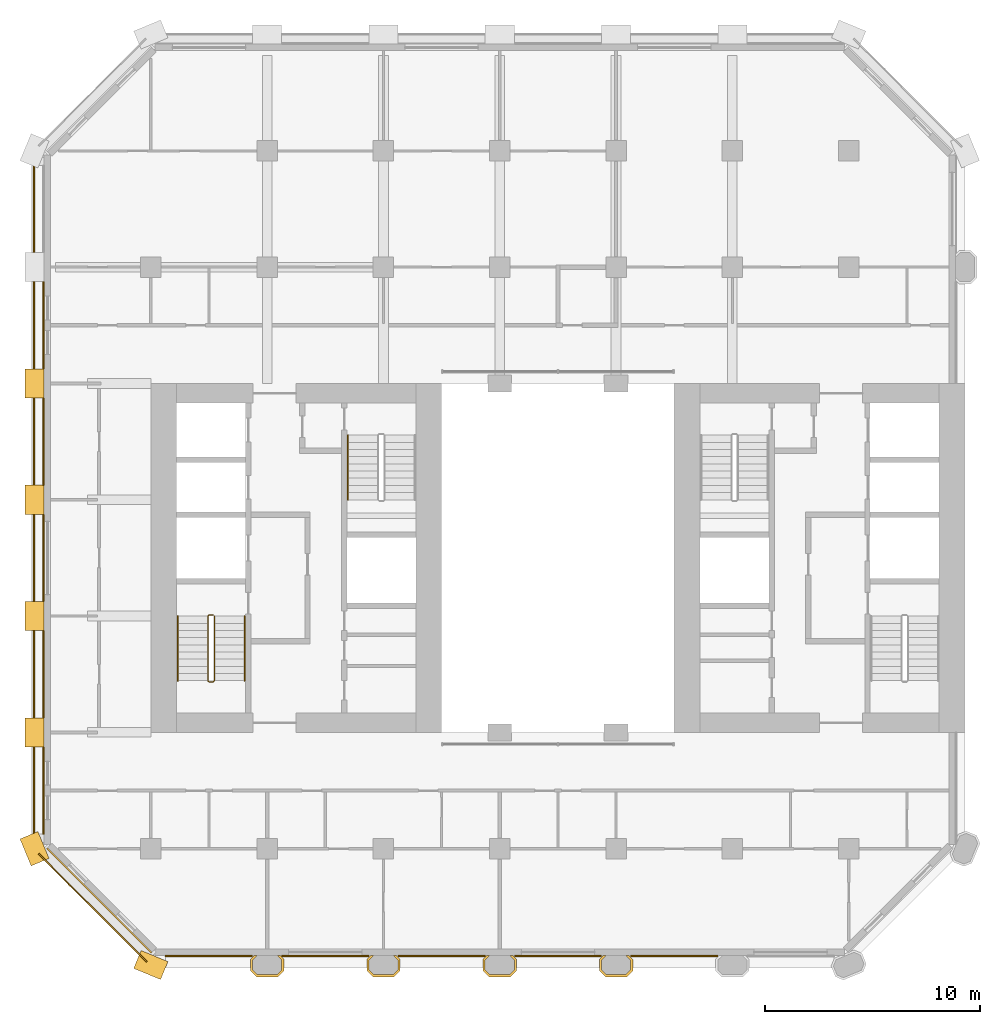
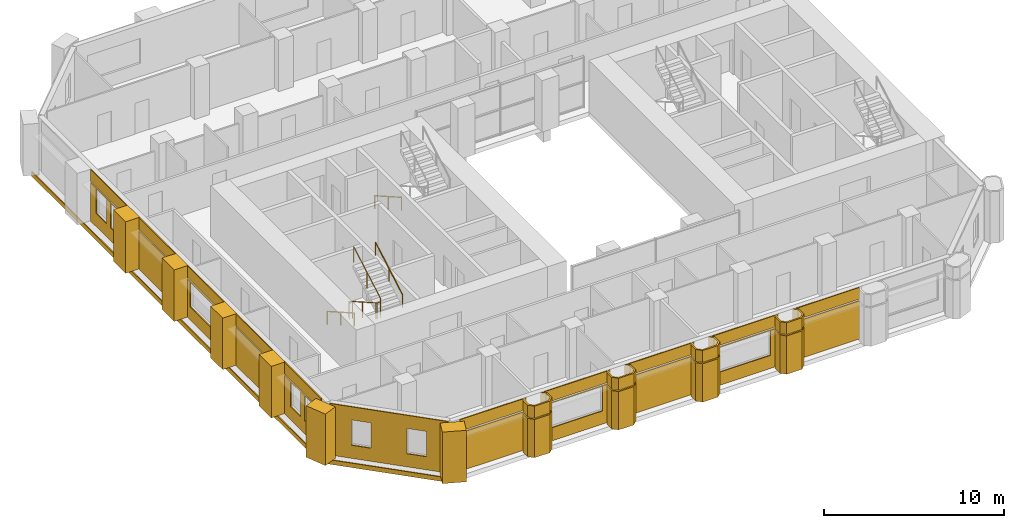
# One storey, part 11 of 13: 37 coverings, 4 railings.
"""IFC4 building model written with IfcOpenShell, lengths in metres."""

from ifc_helpers import new_model, si_unit, direction, frame, frame_2d, origin, origin_2d, place, context, subcontext, project, spatial, polyline, rectangle, circle, outline, extrude, material, layer, layer_set, type_object, element, save


model = new_model("IFC4")

# Units and contexts
model_context = context("Model", 3, precision=1e-05, world=origin(), true_north=direction((0.0, 1.0)))
body_context = subcontext(model_context, "Body", "Model", "MODEL_VIEW")
ifc_project = project(units=[si_unit("LENGTHUNIT", "METRE"), si_unit("AREAUNIT", "SQUARE_METRE"), si_unit("VOLUMEUNIT", "CUBIC_METRE"), si_unit("PLANEANGLEUNIT", "RADIAN"), si_unit("MASSUNIT", "GRAM", prefix="KILO")], contexts=[model_context])

# Site, building, storey
site_placement = place(None, origin())
site = spatial("IfcSite", under=ifc_project, at=site_placement, CompositionType="ELEMENT")
building_placement = place(site_placement, origin())
building = spatial("IfcBuilding", under=site, at=building_placement, Name="Tabaq Tower and Sports Hall", CompositionType="ELEMENT")
storey_placement = place(building_placement, frame((0.0, 0.0, 106.800048828125)))
storey = spatial("IfcBuildingStorey", under=building, at=storey_placement, Name="L25", CompositionType="ELEMENT", Elevation=106.800048828125)

# Coverings
ifc_material_1 = material(Name="Precast concrete C60/75", Category="concrete")
ifc_layer_1 = layer(ifc_material_1, 0.10009765625)
ifc_layer_set_1 = layer_set([ifc_layer_1], Name="Column cladding 100")
covering_type_1 = type_object("IfcCoveringType", Name="Column cladding 100", PredefinedType="CLADDING", material=ifc_layer_set_1)
covering_1_placement = place(storey_placement, origin())
element("IfcCovering", 1, at=covering_1_placement, inside=storey, type_object=covering_type_1, Name="Column cladding L25 PC-3B-O3", PredefinedType="CLADDING", context=body_context, shape_type="SweptSolid", body=[
    extrude(outline(polyline([(10.025390625, 5.666259765625), (10.208740234375, 5.849609375), (10.349365234375, 5.849609375), (10.124755859375, 5.625244140625), (10.124755859375, 5.1748046875), (10.349853515625, 4.94970703125), (11.250244140625, 4.94970703125), (11.475341796875, 5.1748046875), (11.475341796875, 5.625244140625), (11.250732421875, 5.849609375), (11.391357421875, 5.849609375), (11.57470703125, 5.666259765625), (11.57470703125, 5.1337890625), (11.291259765625, 4.850341796875), (10.30859375, 4.850341796875), (10.025390625, 5.1337890625), (10.025390625, 5.666259765625)])), origin(), (0.0, 0.0, 1.0), 2.599853515625),
])
covering_2_placement = place(storey_placement, frame((0.0, 0.0, 2.699951171875)))
element("IfcCovering", 2, at=covering_2_placement, inside=storey, type_object=covering_type_1, Name="Column cladding L25 PC-3B-O3 2", PredefinedType="CLADDING", context=body_context, shape_type="SweptSolid", body=[
    extrude(outline(polyline([(10.025390625, 5.666259765625), (10.208740234375, 5.849609375), (10.349365234375, 5.849609375), (10.124755859375, 5.625244140625), (10.124755859375, 5.1748046875), (10.349853515625, 4.94970703125), (11.250244140625, 4.94970703125), (11.475341796875, 5.1748046875), (11.475341796875, 5.625244140625), (11.250732421875, 5.849609375), (11.391357421875, 5.849609375), (11.57470703125, 5.666259765625), (11.57470703125, 5.1337890625), (11.291259765625, 4.850341796875), (10.30859375, 4.850341796875), (10.025390625, 5.1337890625), (10.025390625, 5.666259765625)])), origin(), (0.0, 0.0, 1.0), 0.800048828125),
])
covering_3_placement = place(storey_placement, origin())
element("IfcCovering", 3, at=covering_3_placement, inside=storey, type_object=covering_type_1, Name="Column cladding L25 PC-4B-O3", PredefinedType="CLADDING", context=body_context, shape_type="SweptSolid", body=[
    extrude(outline(polyline([(15.42529296875, 5.666259765625), (15.608642578125, 5.849609375), (15.749267578125, 5.849609375), (15.524658203125, 5.625244140625), (15.524658203125, 5.1748046875), (15.749755859375, 4.94970703125), (16.650146484375, 4.94970703125), (16.875244140625, 5.1748046875), (16.875244140625, 5.625244140625), (16.650634765625, 5.849609375), (16.791259765625, 5.849609375), (16.974609375, 5.666259765625), (16.974609375, 5.1337890625), (16.69140625, 4.850341796875), (15.708740234375, 4.850341796875), (15.42529296875, 5.1337890625), (15.42529296875, 5.666259765625)])), origin(), (0.0, 0.0, 1.0), 2.599853515625),
])
covering_4_placement = place(storey_placement, frame((0.0, 0.0, 2.699951171875)))
element("IfcCovering", 4, at=covering_4_placement, inside=storey, type_object=covering_type_1, Name="Column cladding L25 PC-4B-O3 2", PredefinedType="CLADDING", context=body_context, shape_type="SweptSolid", body=[
    extrude(outline(polyline([(15.42529296875, 5.666259765625), (15.608642578125, 5.849609375), (15.749267578125, 5.849609375), (15.524658203125, 5.625244140625), (15.524658203125, 5.1748046875), (15.749755859375, 4.94970703125), (16.650146484375, 4.94970703125), (16.875244140625, 5.1748046875), (16.875244140625, 5.625244140625), (16.650634765625, 5.849609375), (16.791259765625, 5.849609375), (16.974609375, 5.666259765625), (16.974609375, 5.1337890625), (16.69140625, 4.850341796875), (15.708740234375, 4.850341796875), (15.42529296875, 5.1337890625), (15.42529296875, 5.666259765625)])), origin(), (0.0, 0.0, 1.0), 0.800048828125),
])
covering_5_placement = place(storey_placement, origin())
element("IfcCovering", 5, at=covering_5_placement, inside=storey, type_object=covering_type_1, Name="Column cladding L25 PC-5B-O3", PredefinedType="CLADDING", context=body_context, shape_type="SweptSolid", body=[
    extrude(outline(polyline([(20.8251953125, 5.666259765625), (21.0087890625, 5.849609375), (21.149169921875, 5.849609375), (20.9248046875, 5.625244140625), (20.9248046875, 5.1748046875), (21.14990234375, 4.94970703125), (22.050048828125, 4.94970703125), (22.275390625, 5.1748046875), (22.275390625, 5.625244140625), (22.05078125, 5.849609375), (22.19140625, 5.849609375), (22.374755859375, 5.666259765625), (22.374755859375, 5.1337890625), (22.09130859375, 4.850341796875), (21.108642578125, 4.850341796875), (20.8251953125, 5.1337890625), (20.8251953125, 5.666259765625)])), origin(), (0.0, 0.0, 1.0), 2.599853515625),
])
covering_6_placement = place(storey_placement, frame((0.0, 0.0, 2.699951171875)))
element("IfcCovering", 6, at=covering_6_placement, inside=storey, type_object=covering_type_1, Name="Column cladding L25 PC-5B-O3 2", PredefinedType="CLADDING", context=body_context, shape_type="SweptSolid", body=[
    extrude(outline(polyline([(20.8251953125, 5.666259765625), (21.0087890625, 5.849609375), (21.149169921875, 5.849609375), (20.9248046875, 5.625244140625), (20.9248046875, 5.1748046875), (21.14990234375, 4.94970703125), (22.050048828125, 4.94970703125), (22.275390625, 5.1748046875), (22.275390625, 5.625244140625), (22.05078125, 5.849609375), (22.19140625, 5.849609375), (22.374755859375, 5.666259765625), (22.374755859375, 5.1337890625), (22.09130859375, 4.850341796875), (21.108642578125, 4.850341796875), (20.8251953125, 5.1337890625), (20.8251953125, 5.666259765625)])), origin(), (0.0, 0.0, 1.0), 0.800048828125),
])
covering_7_placement = place(storey_placement, origin())
element("IfcCovering", 7, at=covering_7_placement, inside=storey, type_object=covering_type_1, Name="Column cladding L25 PC-6B-O3", PredefinedType="CLADDING", context=body_context, shape_type="SweptSolid", body=[
    extrude(outline(polyline([(26.225341796875, 5.666259765625), (26.40869140625, 5.849609375), (26.54931640625, 5.849609375), (26.32470703125, 5.625244140625), (26.32470703125, 5.1748046875), (26.5498046875, 4.94970703125), (27.4501953125, 4.94970703125), (27.67529296875, 5.1748046875), (27.67529296875, 5.625244140625), (27.45068359375, 5.849609375), (27.59130859375, 5.849609375), (27.774658203125, 5.666259765625), (27.774658203125, 5.1337890625), (27.4912109375, 4.850341796875), (26.5087890625, 4.850341796875), (26.225341796875, 5.1337890625), (26.225341796875, 5.666259765625)])), origin(), (0.0, 0.0, 1.0), 2.599853515625),
])
covering_8_placement = place(storey_placement, frame((0.0, 0.0, 2.699951171875)))
element("IfcCovering", 8, at=covering_8_placement, inside=storey, type_object=covering_type_1, Name="Column cladding L25 PC-6B-O3 2", PredefinedType="CLADDING", context=body_context, shape_type="SweptSolid", body=[
    extrude(outline(polyline([(26.225341796875, 5.666259765625), (26.40869140625, 5.849609375), (26.54931640625, 5.849609375), (26.32470703125, 5.625244140625), (26.32470703125, 5.1748046875), (26.5498046875, 4.94970703125), (27.4501953125, 4.94970703125), (27.67529296875, 5.1748046875), (27.67529296875, 5.625244140625), (27.45068359375, 5.849609375), (27.59130859375, 5.849609375), (27.774658203125, 5.666259765625), (27.774658203125, 5.1337890625), (27.4912109375, 4.850341796875), (26.5087890625, 4.850341796875), (26.225341796875, 5.1337890625), (26.225341796875, 5.666259765625)])), origin(), (0.0, 0.0, 1.0), 0.800048828125),
])
ifc_material_2 = material(Name="Precast concrete C60/75", Category="concrete")
ifc_layer_2 = layer(ifc_material_2, 0.06005859375)
ifc_layer_set_2 = layer_set([ifc_layer_2], Name="Edge beam cladding 60")
covering_type_2 = type_object("IfcCoveringType", Name="Edge beam cladding 60", PredefinedType="CLADDING", material=ifc_layer_set_2)
covering_9_placement = place(storey_placement, frame((-0.030029296875, 42.9013671875, -0.300048828125), z_axis=(0.0, 0.0, 1.0), x_axis=(0.0, -1.0, 0.0)))
element("IfcCovering", 9, at=covering_9_placement, inside=storey, type_object=covering_type_2, Name="Edge beam cladding L25 4", PredefinedType="CLADDING", context=body_context, shape_type="SweptSolid", body=[
    extrude(rectangle(XDim=31.802734375, YDim=0.06005859375, at=frame_2d((15.9013671875, 0.0))), origin(), (0.0, 0.0, 1.0), 0.300048828125),
])
covering_10_placement = place(storey_placement, frame((0.18994140625, 10.567626953125, -0.300048828125), z_axis=(0.0, 0.0, 1.0), x_axis=(0.707106781187, -0.707106781187, 0.0)))
element("IfcCovering", 10, at=covering_10_placement, inside=storey, type_object=covering_type_2, Name="Edge beam cladding L25 5", PredefinedType="CLADDING", context=body_context, shape_type="SweptSolid", body=[
    extrude(rectangle(XDim=7.087890625, YDim=0.06005859375, at=frame_2d((3.5439453125, 0.0))), origin(), (0.0, 0.0, 1.0), 0.300048828125),
])
ifc_material_3 = material(Name="White precast concrete C60/75", Category="concrete")
covering_type_3 = type_object("IfcCoveringType", Name="Pier cladding hung 1350x900", PredefinedType="CLADDING", material=ifc_material_3)
for number, where, z_axis, x_axis, name in (
    (11, (-0.25830078125, 11.423583984375, 0.0), (0.0, 0.0, 1.0), (0.382649923473, -0.923893411637, 0.0), "Hung pier cladding 0/2"),
    (12, (0.0, 16.875, 0.0), (0.0, 0.0, 1.0), (0.0, -1.0, 0.0), "Hung pier cladding 0/3"),
):
    element("IfcCovering", number, at=place(storey_placement, frame(where, z_axis=z_axis, x_axis=x_axis)), inside=storey, type_object=covering_type_3, Name=name, PredefinedType="CLADDING", context=body_context, shape_type="SweptSolid", body=[
        extrude(rectangle(XDim=1.35009765625, YDim=0.89990234375, at=frame_2d((0.675048828125, 0.0))), origin(), (0.0, 0.0, 1.0), 3.5),
    ])
covering_11_placement = place(storey_placement, frame((0.0, 22.27490234375, 0.0), z_axis=(0.0, 0.0, 1.0), x_axis=(0.0, -1.0, 0.0)))
element("IfcCovering", 13, at=covering_11_placement, inside=storey, type_object=covering_type_3, Name="Hung pier cladding 0/4", PredefinedType="CLADDING", context=body_context, shape_type="SweptSolid", body=[
    extrude(rectangle(XDim=1.349853515625, YDim=0.89990234375, at=frame_2d((0.6748046875, 0.0))), origin(), (0.0, 0.0, 1.0), 3.5),
])
covering_12_placement = place(storey_placement, frame((0.0, 27.675048828125, 0.0), z_axis=(0.0, 0.0, 1.0), x_axis=(0.0, -1.0, 0.0)))
element("IfcCovering", 14, at=covering_12_placement, inside=storey, type_object=covering_type_3, Name="Hung pier cladding 0/5", PredefinedType="CLADDING", context=body_context, shape_type="SweptSolid", body=[
    extrude(rectangle(XDim=1.35009765625, YDim=0.89990234375, at=frame_2d((0.675048828125, 0.0))), origin(), (0.0, 0.0, 1.0), 3.5),
])
covering_13_placement = place(storey_placement, frame((0.0, 33.074951171875, 0.0), z_axis=(0.0, 0.0, 1.0), x_axis=(0.0, -1.0, 0.0)))
element("IfcCovering", 15, at=covering_13_placement, inside=storey, type_object=covering_type_3, Name="Hung pier cladding 0/6", PredefinedType="CLADDING", context=body_context, shape_type="SweptSolid", body=[
    extrude(rectangle(XDim=1.349853515625, YDim=0.89990234375, at=frame_2d((0.6748046875, 0.0))), origin(), (0.0, 0.0, 1.0), 3.5),
])
covering_14_placement = place(storey_placement, frame((4.7763671875, 5.658203125, 0.0), z_axis=(0.0, 0.0, 1.0), x_axis=(0.923893411637, -0.382649923473, 0.0)))
element("IfcCovering", 16, at=covering_14_placement, inside=storey, type_object=covering_type_3, Name="Hung pier cladding 1/1", PredefinedType="CLADDING", context=body_context, shape_type="SweptSolid", body=[
    extrude(rectangle(XDim=1.35009765625, YDim=0.89990234375, at=frame_2d((0.675048828125, 0.0))), origin(), (0.0, 0.0, 1.0), 3.5),
])

# Railings
ifc_material_4 = material(Name="Stainless steel", Category="steel")
railing_type_1 = type_object("IfcRailingType", Name="Stair guard", PredefinedType="GUARDRAIL", material=ifc_material_4)
railing_1_placement = place(storey_placement, frame((8.300048828125, 21.64990234375, 0.0)))
element("IfcRailing", 17, at=railing_1_placement, inside=storey, type_object=railing_type_1, Name="L25 ST1 stair guard 1", PredefinedType="GUARDRAIL", context=body_context, shape_type="SweptSolid", body=[
    extrude(circle(Radius=0.02392578125, at=origin_2d()), frame((0.0, 0.0, 1.076171875), z_axis=(-1.0, 0.0, 0.0), x_axis=(0.0, -1.0, 0.0)), (0.0, 0.0, 1.0), 0.199951171875),
    extrude(circle(Radius=0.02392578125, at=origin_2d()), frame((-0.199951171875, 0.0, 1.076171875), z_axis=(-0.246983470365, -0.245778672949, 0.937332389972), x_axis=(0.705375805398, -0.708833529934, 0.0)), (0.0, 0.0, 1.0), 0.20263671875),
    extrude(circle(Radius=0.02392578125, at=origin_2d()), frame((-0.25, -0.0498046875, 1.26611328125), z_axis=(0.0, -0.868782136927, 0.495194505781), x_axis=(1.0, 0.0, 0.0)), (0.0, 0.0, 1.0), 3.453125),
    extrude(circle(Radius=0.02392578125, at=origin_2d()), frame((-0.25, -3.0498046875, 2.97607421875), z_axis=(0.707106781187, -0.707106781187, 0.0), x_axis=(0.707106781187, 0.707106781187, 0.0)), (0.0, 0.0, 1.0), 0.07080078125),
    extrude(circle(Radius=0.02392578125, at=origin_2d()), frame((-0.199951171875, -3.099853515625, 2.97607421875), z_axis=(1.0, 0.0, 0.0), x_axis=(0.0, 1.0, 0.0)), (0.0, 0.0, 1.0), 0.199951171875),
    extrude(circle(Radius=0.02392578125, at=origin_2d()), frame((0.0, -3.099853515625, 2.97607421875), z_axis=(0.246910188598, 0.246910188598, 0.937054276727), x_axis=(-0.707106781187, 0.707106781187, 0.0)), (0.0, 0.0, 1.0), 0.20263671875),
    extrude(circle(Radius=0.02392578125, at=origin_2d()), frame((0.050048828125, -3.0498046875, 3.166015625), z_axis=(0.0, 0.868751719353, 0.495247867356), x_axis=(-1.0, 0.0, 0.0)), (0.0, 0.0, 1.0), 3.453125),
    extrude(circle(Radius=0.02099609375, at=origin_2d()), origin(), (0.0, 0.0, 1.0), 1.052001953125),
    extrude(circle(Radius=0.02099609375, at=origin_2d()), frame((-0.199951171875, 0.0, 0.0)), (0.0, 0.0, 1.0), 1.052001953125),
    extrude(circle(Radius=0.02099609375, at=origin_2d()), frame((-0.25, -0.0498046875, 0.18994140625)), (0.0, 0.0, 1.0), 1.052001953125),
    extrude(circle(Radius=0.02099609375, at=origin_2d()), frame((-0.25, -1.5498046875, 1.044921875)), (0.0, 0.0, 1.0), 1.052001953125),
    extrude(circle(Radius=0.02099609375, at=origin_2d()), frame((-0.25, -3.0498046875, 1.89990234375)), (0.0, 0.0, 1.0), 1.052001953125),
    extrude(circle(Radius=0.02099609375, at=origin_2d()), frame((-0.199951171875, -3.099853515625, 1.89990234375)), (0.0, 0.0, 1.0), 1.052001953125),
    extrude(circle(Radius=0.02099609375, at=origin_2d()), frame((0.0, -3.099853515625, 1.89990234375)), (0.0, 0.0, 1.0), 1.052001953125),
    extrude(circle(Radius=0.02099609375, at=origin_2d()), frame((0.050048828125, -3.0498046875, 2.08984375)), (0.0, 0.0, 1.0), 1.052001953125),
    extrude(circle(Radius=0.02099609375, at=origin_2d()), frame((0.050048828125, -1.5498046875, 2.94482421875)), (0.0, 0.0, 1.0), 1.052001953125),
    extrude(circle(Radius=0.02099609375, at=origin_2d()), frame((0.050048828125, -0.0498046875, 3.800048828125)), (0.0, 0.0, 1.0), 1.052001953125),
])
ifc_material_5 = material(Name="Stainless steel", Category="steel")
railing_type_2 = type_object("IfcRailingType", Name="Stair handrail", PredefinedType="HANDRAIL", material=ifc_material_5)
railing_2_placement = place(storey_placement, frame((6.64990234375, 21.60009765625, 0.18994140625)))
element("IfcRailing", 18, at=railing_2_placement, inside=storey, type_object=railing_type_2, Name="L25 ST1 stair handrail 1", PredefinedType="HANDRAIL", context=body_context, shape_type="SweptSolid", body=[
    extrude(circle(Radius=0.02392578125, at=origin_2d()), frame((0.0, 0.0, 0.8759765625), z_axis=(0.0, -0.868782136927, 0.495194505781), x_axis=(1.0, 0.0, 0.0)), (0.0, 0.0, 1.0), 3.453125),
    extrude(circle(Radius=0.02099609375, at=origin_2d()), origin(), (0.0, 0.0, 1.0), 0.851806640625),
    extrude(circle(Radius=0.02099609375, at=origin_2d()), frame((0.0, -1.5, 0.85498046875)), (0.0, 0.0, 1.0), 0.851806640625),
    extrude(circle(Radius=0.02099609375, at=origin_2d()), frame((0.0, -3.0, 1.7099609375)), (0.0, 0.0, 1.0), 0.851806640625),
])
railing_3_placement = place(storey_placement, frame((9.75, 18.60009765625, 2.08984375)))
element("IfcRailing", 19, at=railing_3_placement, inside=storey, type_object=railing_type_2, Name="L25 ST1 stair handrail 2", PredefinedType="HANDRAIL", context=body_context, shape_type="SweptSolid", body=[
    extrude(circle(Radius=0.02392578125, at=origin_2d()), frame((0.0, 0.0, 0.8759765625), z_axis=(0.0, 0.868751719353, 0.495247867356), x_axis=(-1.0, 0.0, 0.0)), (0.0, 0.0, 1.0), 3.453125),
    extrude(circle(Radius=0.02099609375, at=origin_2d()), origin(), (0.0, 0.0, 1.0), 0.851806640625),
    extrude(circle(Radius=0.02099609375, at=origin_2d()), frame((0.0, 1.5, 0.85498046875)), (0.0, 0.0, 1.0), 0.851806640625),
    extrude(circle(Radius=0.02099609375, at=origin_2d()), frame((0.0, 3.0, 1.710205078125)), (0.0, 0.0, 1.0), 0.851806640625),
])
railing_4_placement = place(storey_placement, frame((14.550048828125, 30.0, 0.18994140625)))
element("IfcRailing", 20, at=railing_4_placement, inside=storey, type_object=railing_type_2, Name="L25 ST2 stair handrail 1", PredefinedType="HANDRAIL", context=body_context, shape_type="SweptSolid", body=[
    extrude(circle(Radius=0.02392578125, at=origin_2d()), frame((0.0, 0.0, 0.8759765625), z_axis=(0.0, -0.868782136927, 0.495194505781), x_axis=(1.0, 0.0, 0.0)), (0.0, 0.0, 1.0), 3.453125),
    extrude(circle(Radius=0.02099609375, at=origin_2d()), origin(), (0.0, 0.0, 1.0), 0.851806640625),
    extrude(circle(Radius=0.02099609375, at=origin_2d()), frame((0.0, -1.5, 0.85498046875)), (0.0, 0.0, 1.0), 0.851806640625),
    extrude(circle(Radius=0.02099609375, at=origin_2d()), frame((0.0, -3.0, 1.7099609375)), (0.0, 0.0, 1.0), 0.851806640625),
])

# Coverings
ifc_material_6 = material(Name="Precast concrete C60/75", Category="concrete")
ifc_layer_3 = layer(ifc_material_6, 0.06005859375)
ifc_layer_set_3 = layer_set([ifc_layer_3], Name="White precast cladding panel 60 C60/75")
covering_type_4 = type_object("IfcCoveringType", Name="White precast cladding panel 60 C60/75", PredefinedType="CLADDING", material=ifc_layer_set_3)
covering_15_placement = place(storey_placement, frame((6.06494140625, 5.820068359375, 0.0), z_axis=(0.0, 0.0, 1.0), x_axis=(1.0, 0.0, 0.0)))
element("IfcCovering", 21, at=covering_15_placement, inside=storey, type_object=covering_type_4, Name="White precast cladding panel L25 wall00", PredefinedType="CLADDING", context=body_context, shape_type="SweptSolid", body=[
    extrude(rectangle(XDim=4.050048828125, YDim=0.06005859375, at=frame_2d((2.02490234375, 0.0))), origin(), (0.0, 0.0, 1.0), 2.58984375),
])
covering_16_placement = place(storey_placement, frame((6.06494140625, 5.820068359375, 2.7099609375), z_axis=(0.0, 0.0, 1.0), x_axis=(1.0, 0.0, 0.0)))
element("IfcCovering", 22, at=covering_16_placement, inside=storey, type_object=covering_type_4, Name="White precast cladding panel L25 wall00 2", PredefinedType="CLADDING", context=body_context, shape_type="SweptSolid", body=[
    extrude(rectangle(XDim=4.050048828125, YDim=0.06005859375, at=frame_2d((2.02490234375, 0.0))), origin(), (0.0, 0.0, 1.0), 0.7900390625),
])
covering_17_placement = place(storey_placement, frame((11.485107421875, 5.820068359375, 0.0), z_axis=(0.0, 0.0, 1.0), x_axis=(1.0, 0.0, 0.0)))
element("IfcCovering", 23, at=covering_17_placement, inside=storey, type_object=covering_type_4, Name="White precast cladding panel L25 wall00 3", PredefinedType="CLADDING", context=body_context, shape_type="SweptSolid", body=[
    extrude(outline(polyline([(0.0, 0.0), (4.02978515625, 0.0), (4.02978515625, 2.58984375), (0.0, 2.58984375), (0.0, 0.0)]), holes=[polyline([(3.72509765625, 0.889892578125), (0.304931640625, 0.889892578125), (0.304931640625, 2.56005859375), (3.72509765625, 2.56005859375), (3.72509765625, 0.889892578125)])]), frame((0.0, 0.030029296875, 0.0), z_axis=(0.0, -1.0, 0.0), x_axis=(1.0, 0.0, 0.0)), (0.0, 0.0, 1.0), 0.06005859375),
])
covering_18_placement = place(storey_placement, frame((11.485107421875, 5.820068359375, 2.7099609375), z_axis=(0.0, 0.0, 1.0), x_axis=(1.0, 0.0, 0.0)))
element("IfcCovering", 24, at=covering_18_placement, inside=storey, type_object=covering_type_4, Name="White precast cladding panel L25 wall00 4", PredefinedType="CLADDING", context=body_context, shape_type="SweptSolid", body=[
    extrude(rectangle(XDim=4.02978515625, YDim=0.06005859375, at=frame_2d((2.014892578125, 0.0))), origin(), (0.0, 0.0, 1.0), 0.7900390625),
])
covering_19_placement = place(storey_placement, frame((16.885009765625, 5.820068359375, 0.0), z_axis=(0.0, 0.0, 1.0), x_axis=(1.0, 0.0, 0.0)))
element("IfcCovering", 25, at=covering_19_placement, inside=storey, type_object=covering_type_4, Name="White precast cladding panel L25 wall00 5", PredefinedType="CLADDING", context=body_context, shape_type="SweptSolid", body=[
    extrude(rectangle(XDim=4.030029296875, YDim=0.06005859375, at=frame_2d((2.01513671875, 0.0))), origin(), (0.0, 0.0, 1.0), 2.58984375),
])
covering_20_placement = place(storey_placement, frame((16.885009765625, 5.820068359375, 2.7099609375), z_axis=(0.0, 0.0, 1.0), x_axis=(1.0, 0.0, 0.0)))
element("IfcCovering", 26, at=covering_20_placement, inside=storey, type_object=covering_type_4, Name="White precast cladding panel L25 wall00 6", PredefinedType="CLADDING", context=body_context, shape_type="SweptSolid", body=[
    extrude(rectangle(XDim=4.030029296875, YDim=0.06005859375, at=frame_2d((2.01513671875, 0.0))), origin(), (0.0, 0.0, 1.0), 0.7900390625),
])
covering_21_placement = place(storey_placement, frame((22.284912109375, 5.820068359375, 0.0), z_axis=(0.0, 0.0, 1.0), x_axis=(1.0, 0.0, 0.0)))
element("IfcCovering", 27, at=covering_21_placement, inside=storey, type_object=covering_type_4, Name="White precast cladding panel L25 wall00 7", PredefinedType="CLADDING", context=body_context, shape_type="SweptSolid", body=[
    extrude(outline(polyline([(0.0, 0.0), (4.030029296875, 0.0), (4.030029296875, 2.58984375), (0.0, 2.58984375), (0.0, 0.0)]), holes=[polyline([(3.72509765625, 0.889892578125), (0.304931640625, 0.889892578125), (0.304931640625, 2.56005859375), (3.72509765625, 2.56005859375), (3.72509765625, 0.889892578125)])]), frame((0.0, 0.030029296875, 0.0), z_axis=(0.0, -1.0, 0.0), x_axis=(1.0, 0.0, 0.0)), (0.0, 0.0, 1.0), 0.06005859375),
])
covering_22_placement = place(storey_placement, frame((22.284912109375, 5.820068359375, 2.7099609375), z_axis=(0.0, 0.0, 1.0), x_axis=(1.0, 0.0, 0.0)))
element("IfcCovering", 28, at=covering_22_placement, inside=storey, type_object=covering_type_4, Name="White precast cladding panel L25 wall00 8", PredefinedType="CLADDING", context=body_context, shape_type="SweptSolid", body=[
    extrude(rectangle(XDim=4.030029296875, YDim=0.06005859375, at=frame_2d((2.01513671875, 0.0))), origin(), (0.0, 0.0, 1.0), 0.7900390625),
])
covering_23_placement = place(storey_placement, frame((27.68505859375, 5.820068359375, 0.0), z_axis=(0.0, 0.0, 1.0), x_axis=(1.0, 0.0, 0.0)))
element("IfcCovering", 29, at=covering_23_placement, inside=storey, type_object=covering_type_4, Name="White precast cladding panel L25 wall00 9", PredefinedType="CLADDING", context=body_context, shape_type="SweptSolid", body=[
    extrude(rectangle(XDim=4.030029296875, YDim=0.06005859375, at=frame_2d((2.01513671875, 0.0))), origin(), (0.0, 0.0, 1.0), 2.58984375),
])
covering_24_placement = place(storey_placement, frame((27.68505859375, 5.820068359375, 2.7099609375), z_axis=(0.0, 0.0, 1.0), x_axis=(1.0, 0.0, 0.0)))
element("IfcCovering", 30, at=covering_24_placement, inside=storey, type_object=covering_type_4, Name="White precast cladding panel L25 wall00 10", PredefinedType="CLADDING", context=body_context, shape_type="SweptSolid", body=[
    extrude(rectangle(XDim=4.030029296875, YDim=0.06005859375, at=frame_2d((2.01513671875, 0.0))), origin(), (0.0, 0.0, 1.0), 0.7900390625),
])
covering_25_placement = place(storey_placement, frame((0.419921875, 37.114990234375, 0.0), z_axis=(0.0, 0.0, 1.0), x_axis=(0.0, -1.0, 0.0)))
element("IfcCovering", 31, at=covering_25_placement, inside=storey, type_object=covering_type_4, Name="White precast cladding panel L25 wall06 3", PredefinedType="CLADDING", context=body_context, shape_type="SweptSolid", body=[
    extrude(outline(polyline([(0.0, 0.0), (4.030029296875, 0.0), (4.030029296875, 2.58984375), (0.0, 2.58984375), (0.0, 0.0)]), holes=[polyline([(0.655029296875, 0.889892578125), (0.655029296875, 2.56005859375), (1.77490234375, 2.56005859375), (1.77490234375, 0.889892578125), (0.655029296875, 0.889892578125)]), polyline([(2.2548828125, 0.889892578125), (2.2548828125, 2.56005859375), (3.375, 2.56005859375), (3.375, 0.889892578125), (2.2548828125, 0.889892578125)])]), frame((0.0, 0.030029296875, 0.0), z_axis=(0.0, -1.0, 0.0), x_axis=(1.0, 0.0, 0.0)), (0.0, 0.0, 1.0), 0.06005859375),
])
covering_26_placement = place(storey_placement, frame((0.419921875, 37.114990234375, 2.7099609375), z_axis=(0.0, 0.0, 1.0), x_axis=(0.0, -1.0, 0.0)))
element("IfcCovering", 32, at=covering_26_placement, inside=storey, type_object=covering_type_4, Name="White precast cladding panel L25 wall06 4", PredefinedType="CLADDING", context=body_context, shape_type="SweptSolid", body=[
    extrude(rectangle(XDim=4.030029296875, YDim=0.06005859375, at=frame_2d((2.01513671875, 0.0))), origin(), (0.0, 0.0, 1.0), 0.7900390625),
])
covering_27_placement = place(storey_placement, frame((0.419921875, 31.715087890625, 0.0), z_axis=(0.0, 0.0, 1.0), x_axis=(0.0, -1.0, 0.0)))
element("IfcCovering", 33, at=covering_27_placement, inside=storey, type_object=covering_type_4, Name="White precast cladding panel L25 wall06 5", PredefinedType="CLADDING", context=body_context, shape_type="SweptSolid", body=[
    extrude(rectangle(XDim=4.030029296875, YDim=0.06005859375, at=frame_2d((2.01513671875, 0.0))), origin(), (0.0, 0.0, 1.0), 2.58984375),
])
covering_28_placement = place(storey_placement, frame((0.419921875, 31.715087890625, 2.7099609375), z_axis=(0.0, 0.0, 1.0), x_axis=(0.0, -1.0, 0.0)))
element("IfcCovering", 34, at=covering_28_placement, inside=storey, type_object=covering_type_4, Name="White precast cladding panel L25 wall06 6", PredefinedType="CLADDING", context=body_context, shape_type="SweptSolid", body=[
    extrude(rectangle(XDim=4.030029296875, YDim=0.06005859375, at=frame_2d((2.01513671875, 0.0))), origin(), (0.0, 0.0, 1.0), 0.7900390625),
])
covering_29_placement = place(storey_placement, frame((0.419921875, 26.31494140625, 0.0), z_axis=(0.0, 0.0, 1.0), x_axis=(0.0, -1.0, 0.0)))
element("IfcCovering", 35, at=covering_29_placement, inside=storey, type_object=covering_type_4, Name="White precast cladding panel L25 wall06 7", PredefinedType="CLADDING", context=body_context, shape_type="SweptSolid", body=[
    extrude(outline(polyline([(0.0, 0.0), (4.030029296875, 0.0), (4.030029296875, 2.58984375), (0.0, 2.58984375), (0.0, 0.0)]), holes=[polyline([(3.72509765625, 0.889892578125), (0.304931640625, 0.889892578125), (0.304931640625, 2.56005859375), (3.72509765625, 2.56005859375), (3.72509765625, 0.889892578125)])]), frame((0.0, 0.030029296875, 0.0), z_axis=(0.0, -1.0, 0.0), x_axis=(1.0, 0.0, 0.0)), (0.0, 0.0, 1.0), 0.06005859375),
])
covering_30_placement = place(storey_placement, frame((0.419921875, 26.31494140625, 2.7099609375), z_axis=(0.0, 0.0, 1.0), x_axis=(0.0, -1.0, 0.0)))
element("IfcCovering", 36, at=covering_30_placement, inside=storey, type_object=covering_type_4, Name="White precast cladding panel L25 wall06 8", PredefinedType="CLADDING", context=body_context, shape_type="SweptSolid", body=[
    extrude(rectangle(XDim=4.030029296875, YDim=0.06005859375, at=frame_2d((2.01513671875, 0.0))), origin(), (0.0, 0.0, 1.0), 0.7900390625),
])
covering_31_placement = place(storey_placement, frame((0.419921875, 20.9150390625, 0.0), z_axis=(0.0, 0.0, 1.0), x_axis=(0.0, -1.0, 0.0)))
element("IfcCovering", 37, at=covering_31_placement, inside=storey, type_object=covering_type_4, Name="White precast cladding panel L25 wall06 9", PredefinedType="CLADDING", context=body_context, shape_type="SweptSolid", body=[
    extrude(rectangle(XDim=4.030029296875, YDim=0.06005859375, at=frame_2d((2.01513671875, 0.0))), origin(), (0.0, 0.0, 1.0), 2.58984375),
])
covering_32_placement = place(storey_placement, frame((0.419921875, 20.9150390625, 2.7099609375), z_axis=(0.0, 0.0, 1.0), x_axis=(0.0, -1.0, 0.0)))
element("IfcCovering", 38, at=covering_32_placement, inside=storey, type_object=covering_type_4, Name="White precast cladding panel L25 wall06 10", PredefinedType="CLADDING", context=body_context, shape_type="SweptSolid", body=[
    extrude(rectangle(XDim=4.030029296875, YDim=0.06005859375, at=frame_2d((2.01513671875, 0.0))), origin(), (0.0, 0.0, 1.0), 0.7900390625),
])
covering_33_placement = place(storey_placement, frame((0.419921875, 15.514892578125, 0.0), z_axis=(0.0, 0.0, 1.0), x_axis=(0.0, -1.0, 0.0)))
element("IfcCovering", 39, at=covering_33_placement, inside=storey, type_object=covering_type_4, Name="White precast cladding panel L25 wall06 11", PredefinedType="CLADDING", context=body_context, shape_type="SweptSolid", body=[
    extrude(outline(polyline([(0.0, 0.0), (4.0498046875, 0.0), (4.0498046875, 2.58984375), (0.0, 2.58984375), (0.0, 0.0)]), holes=[polyline([(0.655029296875, 0.889892578125), (0.655029296875, 2.56005859375), (1.77490234375, 2.56005859375), (1.77490234375, 0.889892578125), (0.655029296875, 0.889892578125)]), polyline([(2.2548828125, 0.889892578125), (2.2548828125, 2.56005859375), (3.375, 2.56005859375), (3.375, 0.889892578125), (2.2548828125, 0.889892578125)])]), frame((0.0, 0.030029296875, 0.0), z_axis=(0.0, -1.0, 0.0), x_axis=(1.0, 0.0, 0.0)), (0.0, 0.0, 1.0), 0.06005859375),
])
covering_34_placement = place(storey_placement, frame((0.419921875, 15.514892578125, 2.7099609375), z_axis=(0.0, 0.0, 1.0), x_axis=(0.0, -1.0, 0.0)))
element("IfcCovering", 40, at=covering_34_placement, inside=storey, type_object=covering_type_4, Name="White precast cladding panel L25 wall06 12", PredefinedType="CLADDING", context=body_context, shape_type="SweptSolid", body=[
    extrude(rectangle(XDim=4.0498046875, YDim=0.06005859375, at=frame_2d((2.02490234375, 0.0))), origin(), (0.0, 0.0, 1.0), 0.7900390625),
])
covering_35_placement = place(storey_placement, frame((0.57177734375, 10.822265625, 0.0), z_axis=(0.0, 0.0, 1.0), x_axis=(0.707106781187, -0.707106781187, 0.0)))
element("IfcCovering", 41, at=covering_35_placement, inside=storey, type_object=covering_type_4, Name="White precast cladding panel L25 wall07", PredefinedType="CLADDING", context=body_context, shape_type="SweptSolid", body=[
    extrude(outline(polyline([(0.0, 0.0), (6.85986328125, 0.0), (6.85986328125, 3.5), (0.0, 3.5), (0.0, 0.0)]), holes=[polyline([(1.269775390625, 2.60986328125), (2.389892578125, 2.60986328125), (2.389892578125, 0.889892578125), (1.269775390625, 0.889892578125), (1.269775390625, 2.60986328125)]), polyline([(4.4697265625, 2.60986328125), (5.58984375, 2.60986328125), (5.58984375, 0.889892578125), (4.4697265625, 0.889892578125), (4.4697265625, 2.60986328125)])]), frame((0.0, 0.030029296875, 0.0), z_axis=(0.0, -1.0, 0.0), x_axis=(1.0, 0.0, 0.0)), (0.0, 0.0, 1.0), 0.06005859375),
])

save(model, "model.ifc")
